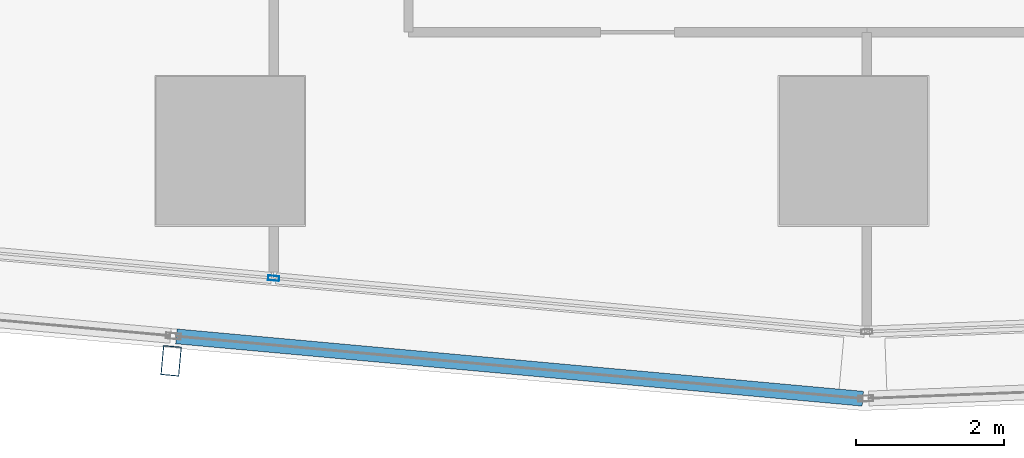
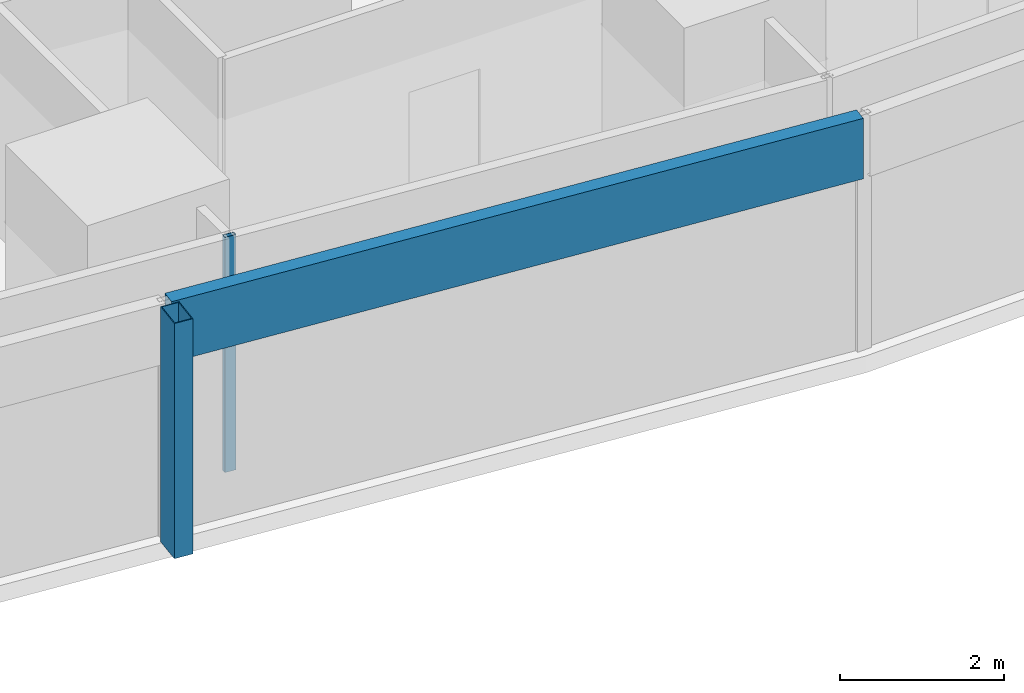
# One storey, part 3 of 39: 3 members, 2 elements without a shape of their own.
"""IFC4 building model written with IfcOpenShell, lengths in metres."""

from ifc_helpers import new_model, si_unit, direction, frame, origin, origin_2d, place, context, subcontext, project, spatial, hollow_rectangle, extrude, material, material_profile, profile_set, type_object, element, aggregate, save


model = new_model("IFC4")

# Units and contexts
model_context = context("Model", 3, precision=1e-05, world=origin(), true_north=direction((0.0, 1.0)))
body_context = subcontext(model_context, "Body", "Model", "MODEL_VIEW")
ifc_project = project(units=[si_unit("LENGTHUNIT", "METRE"), si_unit("AREAUNIT", "SQUARE_METRE"), si_unit("VOLUMEUNIT", "CUBIC_METRE"), si_unit("PLANEANGLEUNIT", "RADIAN"), si_unit("MASSUNIT", "GRAM", prefix="KILO")], contexts=[model_context])

# Site, building, storey
site_placement = place(None, origin())
site = spatial("IfcSite", under=ifc_project, at=site_placement, CompositionType="ELEMENT")
building_placement = place(site_placement, origin())
building = spatial("IfcBuilding", under=site, at=building_placement, Name="Rekha Terrace Tower", CompositionType="ELEMENT")
storey_placement = place(building_placement, frame((0.0, 0.0, 147.800048828125)))
storey = spatial("IfcBuildingStorey", under=building, at=storey_placement, Name="L37", CompositionType="ELEMENT", Elevation=147.800048828125)

# Curtain wall, member
ifc_material_1 = material(Name="Aluminium framing", Category="aluminium")
curtain_wall_type_1 = type_object("IfcCurtainWallType", Name="CW2 double skin outer glazing", PredefinedType="USERDEFINED", material=ifc_material_1)
curtain_wall_1_placement = place(storey_placement, origin())
curtain_wall_1 = element("IfcCurtainWall", 1, at=curtain_wall_1_placement, inside=storey, type_object=curtain_wall_type_1, Name="CW2 double skin outer glazing", ObjectType="DOUBLE SKIN OUTER GLAZING", PredefinedType="USERDEFINED")
ifc_material_2 = material(Name="Steel S355 with fluorocarbon finish", Category="steel")
ifc_material_profile_1 = material_profile(ifc_material_2, hollow_rectangle(XDim=0.25, YDim=0.39990234375, WallThickness=0.012451171875, at=origin_2d()), Name="RHS400x250x12.5")
ifc_profile_set_1 = profile_set([ifc_material_profile_1], Name="Steel S355 with fluorocarbon finish")
member_type_1 = type_object("IfcMemberType", Name="BL1 facade blade RHS 400 x 250", PredefinedType="USERDEFINED", material=ifc_profile_set_1)
member_1_placement = place(storey_placement, frame((16.002197265625, 13.970458984375, 0.0), z_axis=(0.0, 0.0, 1.0), x_axis=(0.995901938317, -0.090439644273, 0.0)))
member_1 = element("IfcMember", 2, at=member_1_placement, type_object=member_type_1, Name="Facade blade", ObjectType="FACADE BLADE", PredefinedType="USERDEFINED", context=body_context, shape_type="SweptSolid", body=[
    extrude(hollow_rectangle(XDim=0.25, YDim=0.39990234375, WallThickness=0.012451171875, at=origin_2d()), origin(), (0.0, 0.0, 1.0), 3.5),
])

curtain_wall_type_2 = type_object("IfcCurtainWallType", Name="CW1 double skin inner glazing", PredefinedType="USERDEFINED", material=ifc_material_1)
curtain_wall_2_placement = place(storey_placement, origin())
curtain_wall_2 = element("IfcCurtainWall", 3, at=curtain_wall_2_placement, inside=storey, type_object=curtain_wall_type_2, Name="CW1 double skin inner glazing", ObjectType="DOUBLE SKIN INNER GLAZING", PredefinedType="USERDEFINED")
ifc_material_3 = material(Name="Aluminium mullion section", Category="aluminium")
ifc_material_profile_2 = material_profile(ifc_material_3, hollow_rectangle(XDim=0.06494140625, YDim=0.14990234375, WallThickness=0.00390625, at=origin_2d()), Name="AL RHS 65x150")
ifc_profile_set_2 = profile_set([ifc_material_profile_2], Name="Aluminium mullion section")
member_type_2 = type_object("IfcMemberType", Name="CW1 mullion RHS 65 x 150", PredefinedType="MULLION", material=ifc_profile_set_2)
member_2_placement = place(storey_placement, frame((17.384033203125, 15.0849609375, 0.0), z_axis=(0.0, 0.0, 1.0), x_axis=(0.090439811381, 0.995901923142, 0.0)))
member_2 = element("IfcMember", 4, at=member_2_placement, type_object=member_type_2, Name="CW1 mullion 2", PredefinedType="MULLION", context=body_context, shape_type="SweptSolid", body=[
    extrude(hollow_rectangle(XDim=0.06494140625, YDim=0.14990234375, WallThickness=0.00390625, at=origin_2d()), origin(), (0.0, 0.0, 1.0), 3.5),
])
aggregate(curtain_wall_2, [member_2])

# Member
ifc_material_4 = material(Name="Insulated aluminium spandrel box", Category="aluminium")
ifc_material_profile_3 = material_profile(ifc_material_4, hollow_rectangle(XDim=0.199951171875, YDim=0.89990234375, WallThickness=0.0029296875, at=origin_2d()), Name="AL SPANDREL BOX 200x900")
ifc_profile_set_3 = profile_set([ifc_material_profile_3], Name="Insulated aluminium spandrel box")
member_type_3 = type_object("IfcMemberType", Name="CW2 spandrel transom 200 x 900", PredefinedType="USERDEFINED", material=ifc_profile_set_3)
member_3_placement = place(storey_placement, frame((16.072265625, 14.300537109375, 3.050048828125), z_axis=(0.995900527097, -0.090455182982, 0.0), x_axis=(0.090455182982, 0.995900527097, 0.0)))
member_3 = element("IfcMember", 5, at=member_3_placement, type_object=member_type_3, Name="CW2 spandrel transom 2", ObjectType="TRANSOM", PredefinedType="USERDEFINED", context=body_context, shape_type="SweptSolid", body=[
    extrude(hollow_rectangle(XDim=0.199951171875, YDim=0.89990234375, WallThickness=0.0029296875, at=origin_2d()), origin(), (0.0, 0.0, 1.0), 9.2900390625),
])

aggregate(curtain_wall_1, [member_3, member_1])

save(model, "model.ifc")
